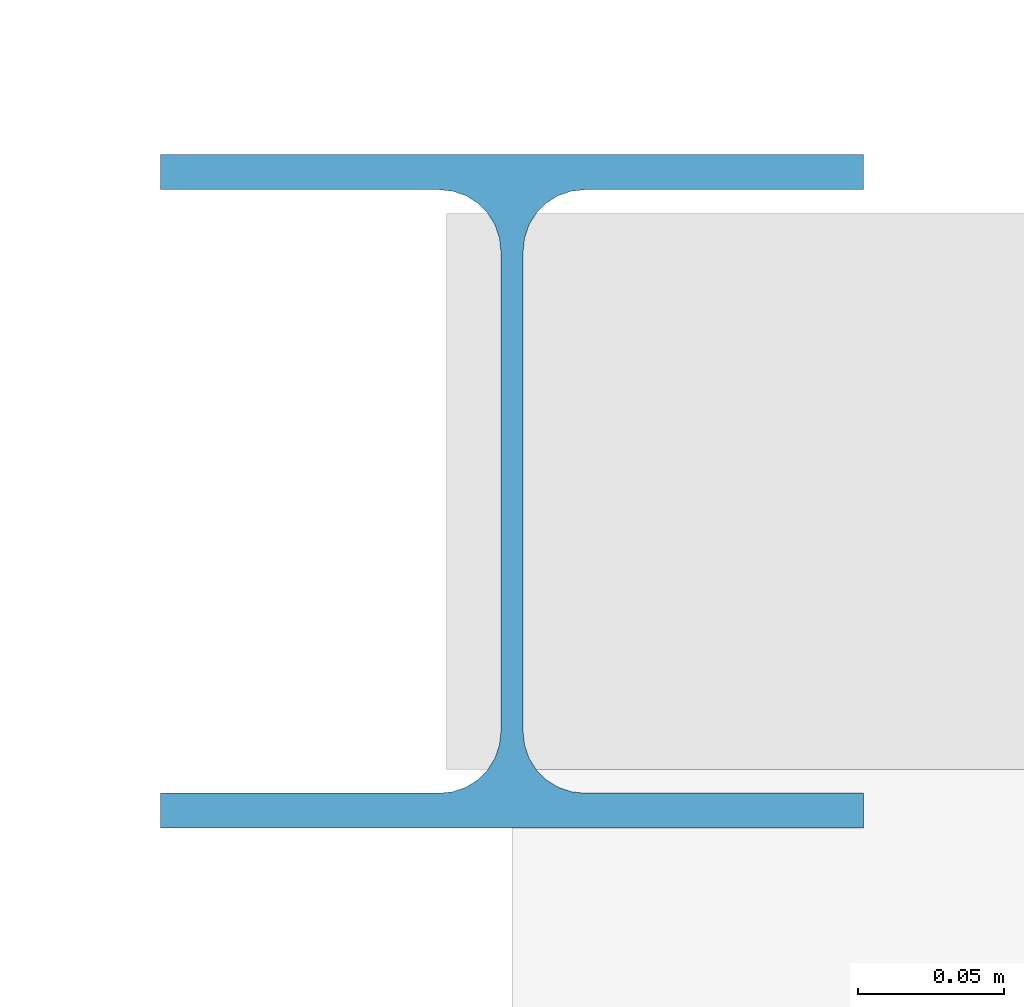
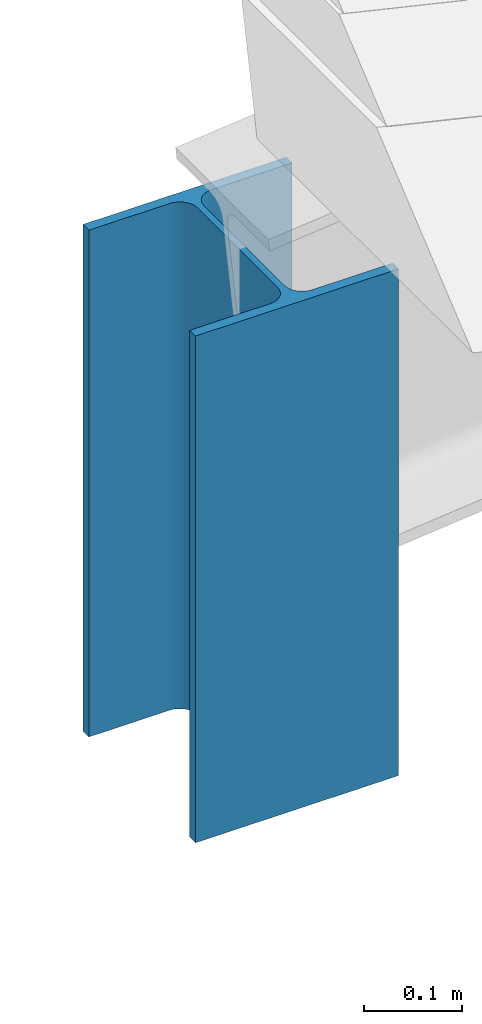
# One storey, part 24 of 54: 1 member.
"""IFC4 building model written with IfcOpenShell, lengths in metres."""

from ifc_helpers import new_model, si_unit, direction, frame, origin, origin_2d, place, context, subcontext, project, spatial, i_section, extrude, material, material_profile, profile_set, type_object, element, save


model = new_model("IFC4")

# Units and contexts
model_context = context("Model", 3, precision=1e-05, world=origin(), true_north=direction((0.0, 1.0)))
body_context = subcontext(model_context, "Body", "Model", "MODEL_VIEW")
ifc_project = project(units=[si_unit("LENGTHUNIT", "METRE"), si_unit("AREAUNIT", "SQUARE_METRE"), si_unit("VOLUMEUNIT", "CUBIC_METRE"), si_unit("PLANEANGLEUNIT", "RADIAN"), si_unit("MASSUNIT", "GRAM", prefix="KILO")], contexts=[model_context])

# Site, building, storey
site_placement = place(None, origin())
site = spatial("IfcSite", under=ifc_project, at=site_placement, CompositionType="ELEMENT")
building_placement = place(site_placement, origin())
building = spatial("IfcBuilding", under=site, at=building_placement, Name="Kenh Van Central Station", CompositionType="ELEMENT")
storey_placement = place(building_placement, frame((0.0, 0.0, 15.0)))
storey = spatial("IfcBuildingStorey", under=building, at=storey_placement, Name="L03", CompositionType="ELEMENT", Elevation=15.0)

# Member
ifc_material = material(Name="Steel S355", Category="steel")
ifc_material_profile = material_profile(ifc_material, i_section(OverallWidth=0.239990234375, OverallDepth=0.22998046875, WebThickness=0.007568359375, FlangeThickness=0.011962890625, FilletRadius=0.02099609375, at=origin_2d()), Name="HEA 240")
ifc_profile_set = profile_set([ifc_material_profile], Name="Steel S355")
member_type = type_object("IfcMemberType", Name="MEM-ROOF-POST240", PredefinedType="POST", material=ifc_profile_set)
member_placement = place(storey_placement, frame((64.0, 64.0, -0.949951171875), z_axis=(0.0, 0.0, 1.0), x_axis=(1.0, 0.0, 0.0)))
element("IfcMember", 1, at=member_placement, inside=storey, type_object=member_type, Name="L03 roof eave post 080", PredefinedType="POST", context=body_context, shape_type="SweptSolid", body=[
    extrude(i_section(OverallWidth=0.239990234375, OverallDepth=0.22998046875, WebThickness=0.007568359375, FlangeThickness=0.011962890625, FilletRadius=0.02099609375, at=origin_2d()), origin(), (0.0, 0.0, 1.0), 0.6328125),
])

save(model, "model.ifc")
